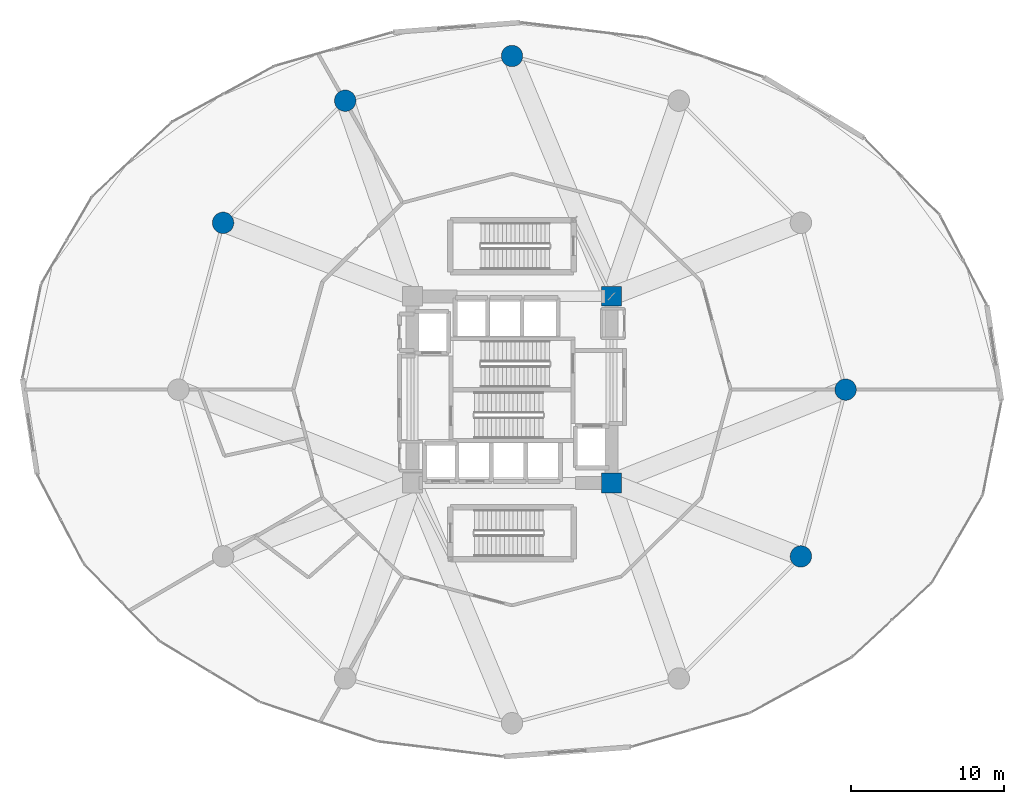
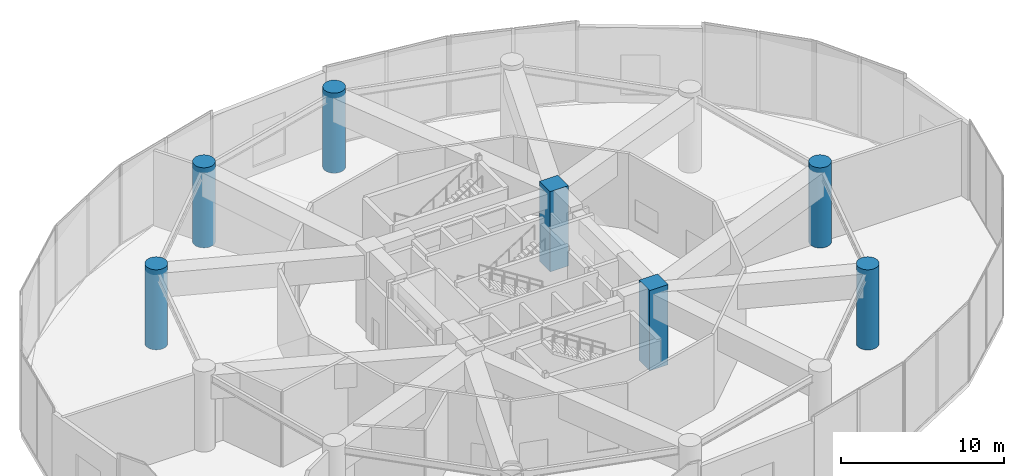
# One storey, part 2 of 28: 7 columns.
"""IFC4 building model written with IfcOpenShell, lengths in metres."""

from ifc_helpers import new_model, si_unit, direction, frame, origin, origin_2d, place, context, subcontext, project, spatial, rectangle, circle, extrude, material, material_profile, profile_set, type_object, element, save


model = new_model("IFC4")

# Units and contexts
model_context = context("Model", 3, precision=1e-05, world=origin(), true_north=direction((0.0, 1.0)))
body_context = subcontext(model_context, "Body", "Model", "MODEL_VIEW")
ifc_project = project(units=[si_unit("LENGTHUNIT", "METRE"), si_unit("AREAUNIT", "SQUARE_METRE"), si_unit("VOLUMEUNIT", "CUBIC_METRE"), si_unit("PLANEANGLEUNIT", "RADIAN"), si_unit("MASSUNIT", "GRAM", prefix="KILO")], contexts=[model_context])

# Site, building, storey
site_placement = place(None, origin())
site = spatial("IfcSite", under=ifc_project, at=site_placement, CompositionType="ELEMENT")
building_placement = place(site_placement, origin())
building = spatial("IfcBuilding", under=site, at=building_placement, Name="Solvirekh Grand Hotel", CompositionType="ELEMENT")
storey_placement = place(building_placement, frame((0.0, 0.0, 12.60009765625)))
storey = spatial("IfcBuildingStorey", under=building, at=storey_placement, Name="L02", CompositionType="ELEMENT", Elevation=12.60009765625)

# Columns
ifc_material = material(Name="Concrete C60/75", Category="concrete")
ifc_material_profile_1 = material_profile(ifc_material, circle(Radius=0.699951171875, at=origin_2d()), Name="RC CIRC D1400")
ifc_profile_set_1 = profile_set([ifc_material_profile_1], Name="Concrete C60/75")
column_type_1 = type_object("IfcColumnType", Name="Col_Base_D1400", PredefinedType="COLUMN", material=ifc_profile_set_1)
for number, where, z_axis, x_axis, name in (
    (1, (21.800048828125, 0.0, 0.0), (0.0, 0.0, 1.0), (1.0, 0.0, 0.0), "L02 perimeter column P01"),
    (2, (0.0, 21.800048828125, 0.0), (0.0, 0.0, 1.0), (1.0, 0.0, 0.0), "L02 perimeter column P04"),
    (3, (-10.89990234375, 18.87890625, 0.0), (0.0, 0.0, 1.0), (1.0, 0.0, 0.0), "L02 perimeter column P05"),
    (4, (-18.87890625, 10.89990234375, 0.0), (0.0, 0.0, 1.0), (1.0, 0.0, 0.0), "L02 perimeter column P06"),
    (5, (18.87890625, -10.89990234375, 0.0), (0.0, 0.0, 1.0), (1.0, 0.0, 0.0), "L02 perimeter column P12"),
):
    element("IfcColumn", number, at=place(storey_placement, frame(where, z_axis=z_axis, x_axis=x_axis)), inside=storey, type_object=column_type_1, Name=name, PredefinedType="COLUMN", context=body_context, shape_type="SweptSolid", body=[
        extrude(circle(Radius=0.699951171875, at=origin_2d()), origin(), (0.0, 0.0, 1.0), 6.0),
    ])
ifc_material_profile_2 = material_profile(ifc_material, rectangle(XDim=1.300048828125, YDim=1.300048828125, at=origin_2d()), Name="RC 1300X1300")
ifc_profile_set_2 = profile_set([ifc_material_profile_2], Name="Concrete C60/75")
column_type_2 = type_object("IfcColumnType", Name="Col_Core_1300", PredefinedType="COLUMN", material=ifc_profile_set_2)
for number, where, z_axis, x_axis, name in (
    (6, (6.5, -6.10009765625, 0.0), (0.0, 0.0, 1.0), (1.0, 0.0, 0.0), "L02 core corner column CC2"),
    (7, (6.5, 6.10009765625, 0.0), (0.0, 0.0, 1.0), (1.0, 0.0, 0.0), "L02 core corner column CC3"),
):
    element("IfcColumn", number, at=place(storey_placement, frame(where, z_axis=z_axis, x_axis=x_axis)), inside=storey, type_object=column_type_2, Name=name, PredefinedType="COLUMN", context=body_context, shape_type="SweptSolid", body=[
        extrude(rectangle(XDim=1.300048828125, YDim=1.300048828125, at=origin_2d()), origin(), (0.0, 0.0, 1.0), 6.0),
    ])

save(model, "model.ifc")
